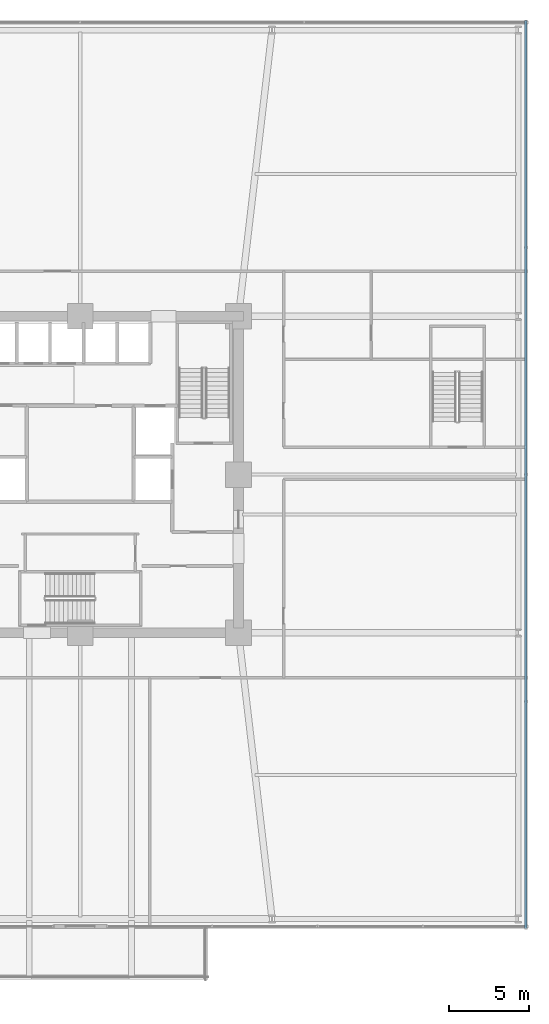
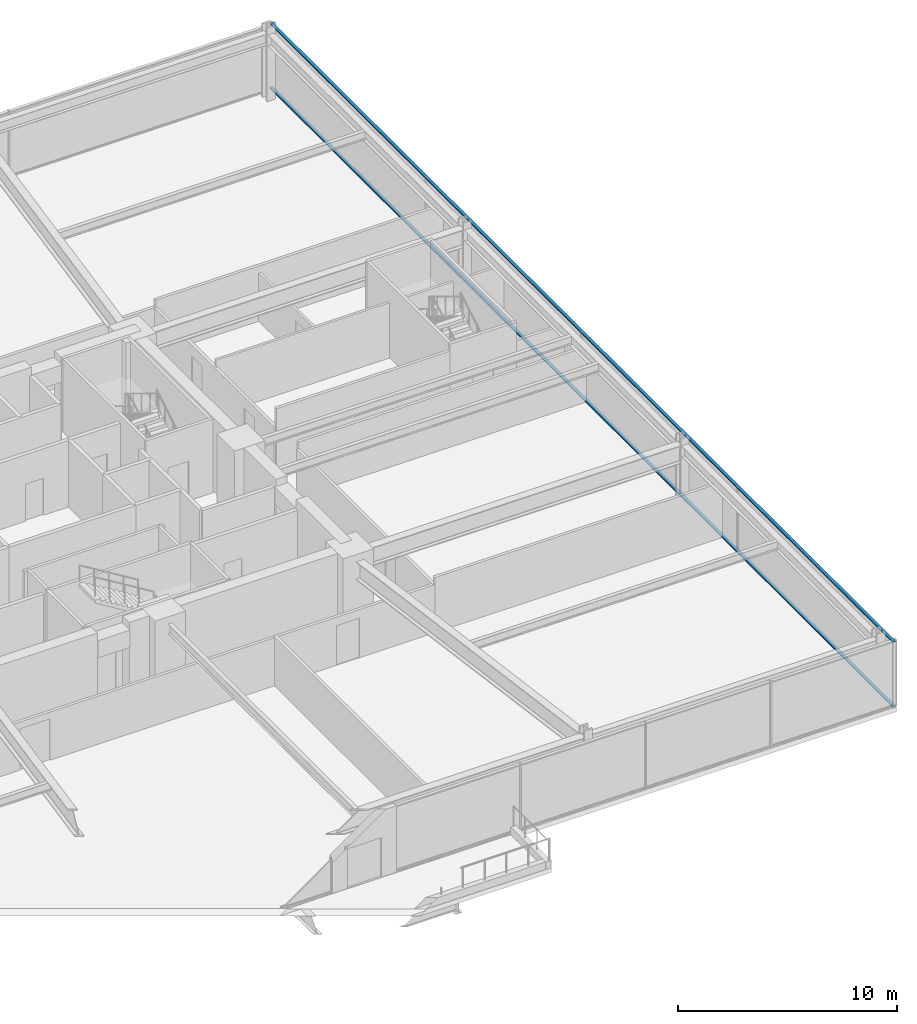
# One storey, part 20 of 39: 2 members, 1 element without a shape of its own.
"""IFC4 building model written with IfcOpenShell, lengths in metres."""

from ifc_helpers import new_model, si_unit, direction, frame, origin, origin_2d, place, context, subcontext, project, spatial, hollow_rectangle, extrude, material, material_profile, profile_set, type_object, element, aggregate, save


model = new_model("IFC4")

# Units and contexts
model_context = context("Model", 3, precision=1e-05, world=origin(), true_north=direction((0.0, 1.0)))
body_context = subcontext(model_context, "Body", "Model", "MODEL_VIEW")
ifc_project = project(units=[si_unit("LENGTHUNIT", "METRE"), si_unit("AREAUNIT", "SQUARE_METRE"), si_unit("VOLUMEUNIT", "CUBIC_METRE"), si_unit("PLANEANGLEUNIT", "RADIAN"), si_unit("MASSUNIT", "GRAM", prefix="KILO")], contexts=[model_context])

# Site, building, storey
site_placement = place(None, origin())
site = spatial("IfcSite", under=ifc_project, at=site_placement, CompositionType="ELEMENT")
building_placement = place(site_placement, origin())
building = spatial("IfcBuilding", under=site, at=building_placement, Name="Kolvaren Belvedere", CompositionType="ELEMENT")
storey_placement = place(building_placement, frame((0.0, 0.0, 15.199951171875)))
storey = spatial("IfcBuildingStorey", under=building, at=storey_placement, Name="L04", CompositionType="ELEMENT", Elevation=15.199951171875)

# Curtain wall, members
ifc_material_1 = material(Name="Anodised pale-metal aluminium AA 6063-T6", Category="aluminium")
curtain_wall_type = type_object("IfcCurtainWallType", Name="CW-POD-A", PredefinedType="NOTDEFINED", material=ifc_material_1)
curtain_wall_placement = place(storey_placement, origin())
curtain_wall = element("IfcCurtainWall", 1, at=curtain_wall_placement, inside=storey, type_object=curtain_wall_type, Name="L04 Unitised Curtain Wall FCW-L04-E", PredefinedType="NOTDEFINED")
ifc_material_2 = material(Name="Anodised pale-metal aluminium AA 6063-T6", Category="aluminium")
ifc_material_profile = material_profile(ifc_material_2, hollow_rectangle(XDim=0.06494140625, YDim=0.159912109375, WallThickness=0.00390625, at=origin_2d()), Name="ALU-TRN-160X65")
ifc_profile_set = profile_set([ifc_material_profile], Name="Anodised pale-metal aluminium AA 6063-T6")
member_type = type_object("IfcMemberType", Name="CW-TRN-160", PredefinedType="USERDEFINED", material=ifc_profile_set)
member_1_placement = place(storey_placement, frame((27.8798828125, 28.39990234375, 0.06005859375), z_axis=(0.0, -1.0, 0.0), x_axis=(0.0, 0.0, 1.0)))
member_1 = element("IfcMember", 2, at=member_1_placement, type_object=member_type, Name="FCW-L04-E Sill Transom", ObjectType="TRANSOM", PredefinedType="USERDEFINED", context=body_context, shape_type="SweptSolid", body=[
    extrude(hollow_rectangle(XDim=0.06494140625, YDim=0.159912109375, WallThickness=0.00390625, at=origin_2d()), origin(), (0.0, 0.0, 1.0), 56.7998046875),
])
member_2_placement = place(storey_placement, frame((27.8798828125, 28.39990234375, 3.64013671875), z_axis=(0.0, -1.0, 0.0), x_axis=(0.0, 0.0, 1.0)))
member_2 = element("IfcMember", 3, at=member_2_placement, type_object=member_type, Name="FCW-L04-E Head Transom", ObjectType="TRANSOM", PredefinedType="USERDEFINED", context=body_context, shape_type="SweptSolid", body=[
    extrude(hollow_rectangle(XDim=0.06494140625, YDim=0.159912109375, WallThickness=0.00390625, at=origin_2d()), origin(), (0.0, 0.0, 1.0), 56.7998046875),
])
aggregate(curtain_wall, [member_1, member_2])

save(model, "model.ifc")
